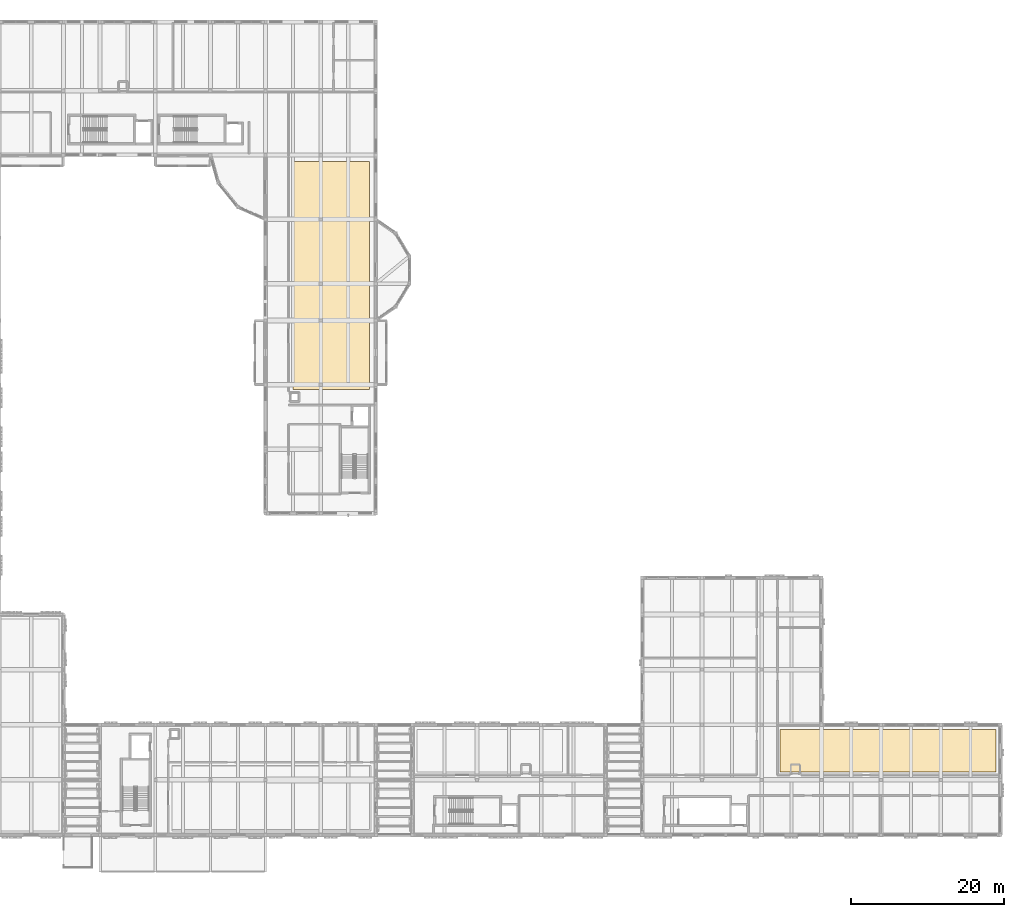
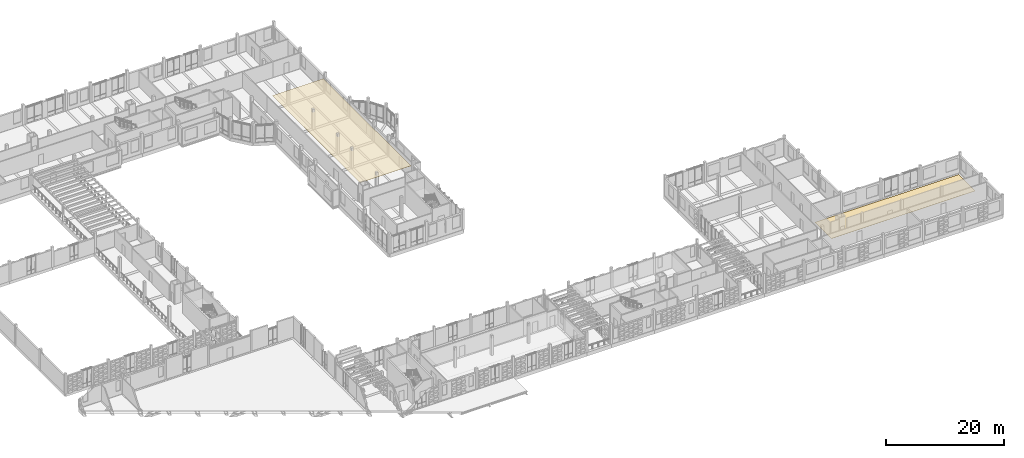
# One storey, part 99 of 99: 2 coverings.
"""IFC4 building model written with IfcOpenShell, lengths in metres."""

from ifc_helpers import new_model, si_unit, direction, frame, origin, place, context, subcontext, project, spatial, polyline, outline, extrude, material, layer, layer_set, type_object, element, save


model = new_model("IFC4")

# Units and contexts
model_context = context("Model", 3, precision=1e-05, world=origin(), true_north=direction((0.0, 1.0)))
body_context = subcontext(model_context, "Body", "Model", "MODEL_VIEW")
ifc_project = project(units=[si_unit("LENGTHUNIT", "METRE"), si_unit("AREAUNIT", "SQUARE_METRE"), si_unit("VOLUMEUNIT", "CUBIC_METRE"), si_unit("PLANEANGLEUNIT", "RADIAN"), si_unit("MASSUNIT", "GRAM", prefix="KILO")], contexts=[model_context])

# Site, building, storey
site_placement = place(None, origin())
site = spatial("IfcSite", under=ifc_project, at=site_placement, CompositionType="ELEMENT")
building_placement = place(site_placement, origin())
building = spatial("IfcBuilding", under=site, at=building_placement, Name="Kahlenmark Community Centre", CompositionType="ELEMENT")
storey_placement = place(building_placement, frame((0.0, 0.0, 5.39990234375)))
storey = spatial("IfcBuildingStorey", under=building, at=storey_placement, Name="L01", CompositionType="ELEMENT", Elevation=5.39990234375)

# Coverings
ifc_material_1 = material(Name="Perforated birch acoustic ceiling panel")
ifc_layer_1 = layer(ifc_material_1, 0.0400390625)
ifc_layer_set_1 = layer_set([ifc_layer_1], Name="Perforated birch acoustic ceiling panel")
covering_type_1 = type_object("IfcCoveringType", Name="CVT-CEIL-ACOUST", PredefinedType="CEILING", material=ifc_layer_set_1)
covering_1_placement = place(storey_placement, frame((0.0, 0.0, 3.52001953125)))
element("IfcCovering", 1, at=covering_1_placement, inside=storey, type_object=covering_type_1, Name="Acoustic birch ceiling 04", PredefinedType="CEILING", context=body_context, shape_type="SweptSolid", body=[
    extrude(outline(polyline([(76.0, 67.0), (86.0, 67.0), (86.0, 96.800048828125), (76.0, 96.800048828125), (76.0, 67.0)])), origin(), (0.0, 0.0, 1.0), 0.0400390625),
])
ifc_material_2 = material(Name="Oiled European oak parquet flooring")
ifc_layer_2 = layer(ifc_material_2, 0.02490234375)
ifc_layer_set_2 = layer_set([ifc_layer_2], Name="Oiled European oak parquet flooring")
covering_type_2 = type_object("IfcCoveringType", Name="CVT-FLR-OAK", PredefinedType="FLOORING", material=ifc_layer_set_2)
covering_2_placement = place(storey_placement, origin())
element("IfcCovering", 2, at=covering_2_placement, inside=storey, type_object=covering_type_2, Name="European oak parquet flooring 03", PredefinedType="FLOORING", context=body_context, shape_type="SweptSolid", body=[
    extrude(outline(polyline([(139.60009765625, 17.0), (167.800048828125, 17.0), (167.800048828125, 22.60009765625), (139.60009765625, 22.60009765625), (139.60009765625, 17.0)])), origin(), (0.0, 0.0, 1.0), 0.025146484375),
])

save(model, "model.ifc")
